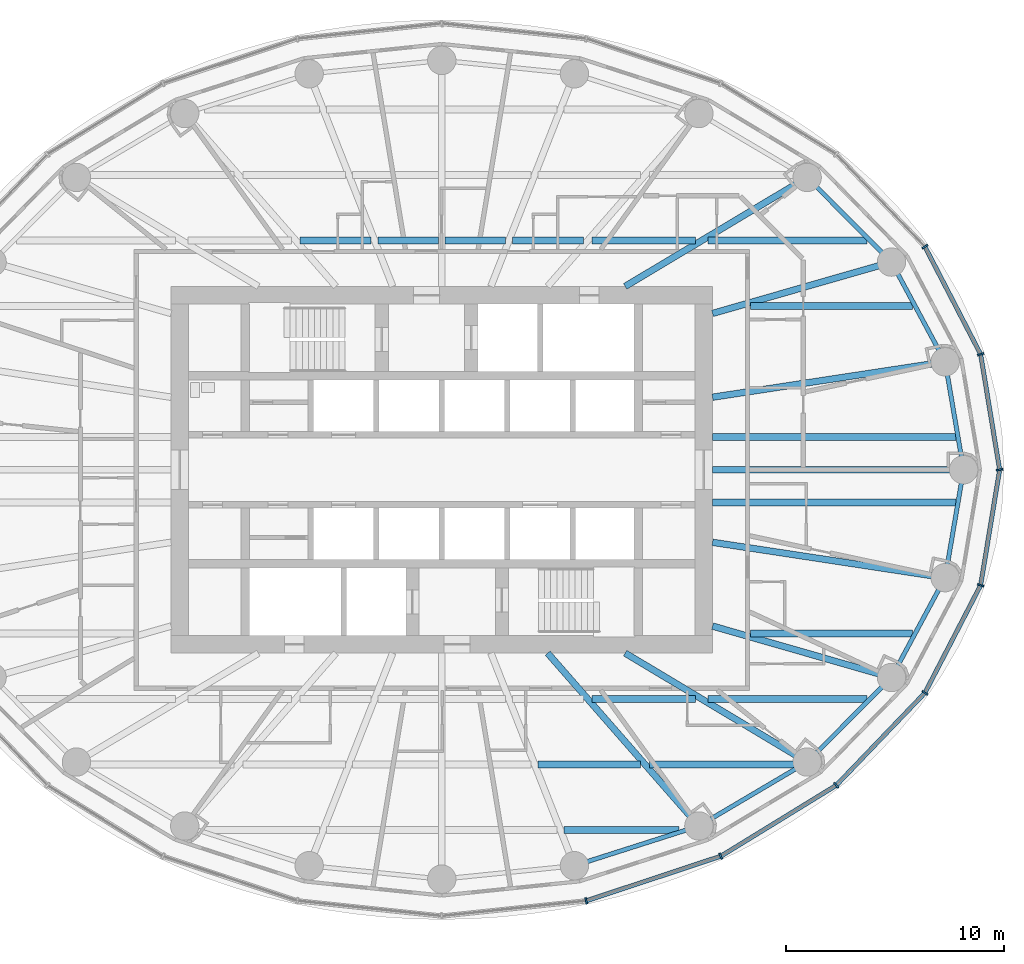
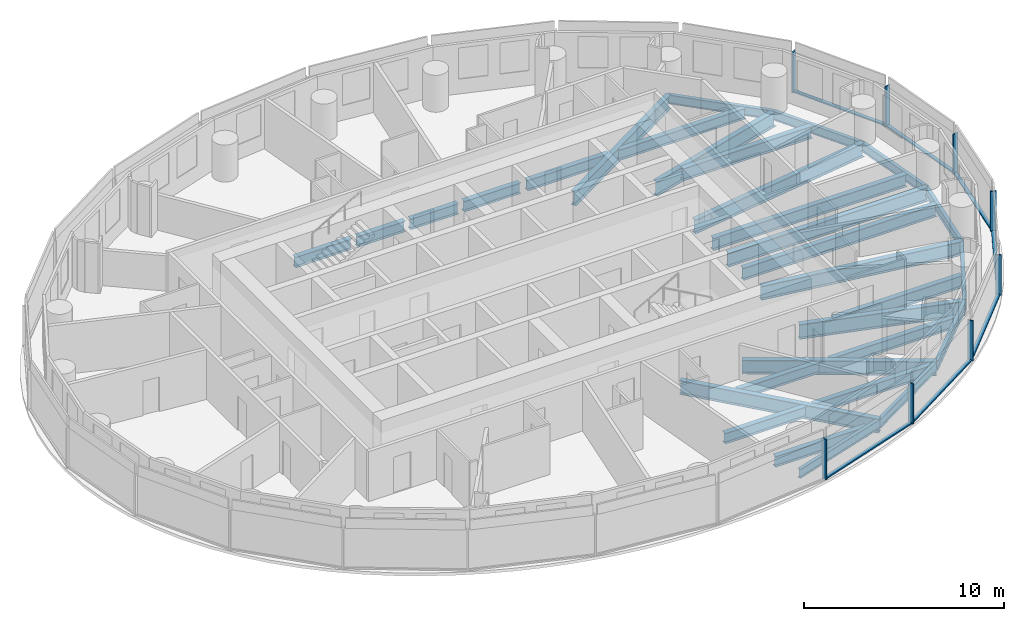
# One storey, part 3 of 14: 31 beams, 15 members, 2 elements without a shape of their own.
"""IFC4 building model written with IfcOpenShell, lengths in metres."""

from ifc_helpers import new_model, si_unit, direction, frame, origin, origin_2d, place, context, subcontext, project, spatial, rectangle, i_section, extrude, material, material_profile, profile_set, type_object, element, aggregate, save


model = new_model("IFC4")

# Units and contexts
model_context = context("Model", 3, precision=1e-05, world=origin(), true_north=direction((0.0, 1.0)))
body_context = subcontext(model_context, "Body", "Model", "MODEL_VIEW")
ifc_project = project(units=[si_unit("LENGTHUNIT", "METRE"), si_unit("AREAUNIT", "SQUARE_METRE"), si_unit("VOLUMEUNIT", "CUBIC_METRE"), si_unit("PLANEANGLEUNIT", "RADIAN"), si_unit("MASSUNIT", "GRAM", prefix="KILO")], contexts=[model_context])

# Site, building, storey
site_placement = place(None, origin())
site = spatial("IfcSite", under=ifc_project, at=site_placement, CompositionType="ELEMENT")
building_placement = place(site_placement, origin())
building = spatial("IfcBuilding", under=site, at=building_placement, Name="Hankou Lantern Tower", CompositionType="ELEMENT")
storey_placement = place(building_placement, frame((0.0, 0.0, 135.300048828125)))
storey = spatial("IfcBuildingStorey", under=building, at=storey_placement, Name="L35", CompositionType="ELEMENT", Elevation=135.300048828125)

# Beams
ifc_material_1 = material(Name="Steel Q355B", Category="steel")
ifc_material_profile_1 = material_profile(ifc_material_1, i_section(OverallWidth=0.199951171875, OverallDepth=0.550048828125, WebThickness=0.010009765625, FlangeThickness=0.01611328125, FilletRadius=0.012939453125, at=origin_2d()), Name="HN550x200x10x16")
ifc_profile_set_1 = profile_set([ifc_material_profile_1], Name="Steel Q355B")
beam_type_1 = type_object("IfcBeamType", Name="EB6 RING BEAM HN550x200x10x16", PredefinedType="SPANDREL", material=ifc_profile_set_1)
beam_1_placement = place(storey_placement, frame((23.89990234375, 0.0, -0.455078125), z_axis=(-0.168527258545, 0.985696993567, 0.0), x_axis=(-0.985696993567, -0.168527258545, 0.0)))
element("IfcBeam", 1, at=beam_1_placement, inside=storey, type_object=beam_type_1, Name="Ring beam R01-R02 L35", PredefinedType="SPANDREL", context=body_context, shape_type="SweptSolid", body=[
    extrude(i_section(OverallWidth=0.199951171875, OverallDepth=0.550048828125, WebThickness=0.010009765625, FlangeThickness=0.01611328125, FilletRadius=0.012939453125, at=origin_2d()), origin(), (0.0, 0.0, 1.0), 5.013916015625),
])
beam_2_placement = place(storey_placement, frame((23.054931640625, 4.942138671875, -0.455078125), z_axis=(-0.473824901673, 0.880619079145, 0.0), x_axis=(-0.880619079145, -0.473824901673, 0.0)))
element("IfcBeam", 2, at=beam_2_placement, inside=storey, type_object=beam_type_1, Name="Ring beam R02-R03 L35", PredefinedType="SPANDREL", context=body_context, shape_type="SweptSolid", body=[
    extrude(i_section(OverallWidth=0.199951171875, OverallDepth=0.550048828125, WebThickness=0.010009765625, FlangeThickness=0.01611328125, FilletRadius=0.012939453125, at=origin_2d()), origin(), (0.0, 0.0, 1.0), 5.190185546875),
])
beam_3_placement = place(storey_placement, frame((20.595703125, 9.5126953125, -0.455078125), z_axis=(-0.705945468625, 0.708266189599, 0.0), x_axis=(-0.708266189599, -0.705945468625, 0.0)))
element("IfcBeam", 3, at=beam_3_placement, inside=storey, type_object=beam_type_1, Name="Ring beam R03-R04 L35", PredefinedType="SPANDREL", context=body_context, shape_type="SweptSolid", body=[
    extrude(i_section(OverallWidth=0.199951171875, OverallDepth=0.550048828125, WebThickness=0.010009765625, FlangeThickness=0.01611328125, FilletRadius=0.012939453125, at=origin_2d()), origin(), (0.0, 0.0, 1.0), 5.470458984375),
])
beam_4_placement = place(storey_placement, frame((6.073974609375, -18.134521484375, -0.455078125), z_axis=(0.952731090451, 0.303814860215, 0.0), x_axis=(-0.303814860215, 0.952731090451, 0.0)))
element("IfcBeam", 4, at=beam_4_placement, inside=storey, type_object=beam_type_1, Name="Ring beam R20-R21 L35", PredefinedType="SPANDREL", context=body_context, shape_type="SweptSolid", body=[
    extrude(i_section(OverallWidth=0.199951171875, OverallDepth=0.550048828125, WebThickness=0.010009765625, FlangeThickness=0.01611328125, FilletRadius=0.012939453125, at=origin_2d()), origin(), (0.0, 0.0, 1.0), 5.984375),
])
beam_5_placement = place(storey_placement, frame((11.775390625, -16.31640625, -0.455078125), z_axis=(0.860988974188, 0.508623619513, 0.0), x_axis=(-0.508623619513, 0.860988974188, 0.0)))
element("IfcBeam", 5, at=beam_5_placement, inside=storey, type_object=beam_type_1, Name="Ring beam R21-R22 L35", PredefinedType="SPANDREL", context=body_context, shape_type="SweptSolid", body=[
    extrude(i_section(OverallWidth=0.199951171875, OverallDepth=0.550048828125, WebThickness=0.010009765625, FlangeThickness=0.01611328125, FilletRadius=0.012939453125, at=origin_2d()), origin(), (0.0, 0.0, 1.0), 5.759033203125),
])
beam_6_placement = place(storey_placement, frame((16.73388671875, -13.38720703125, -0.455078125), z_axis=(0.705945468625, 0.708266189599, 0.0), x_axis=(-0.708266189599, 0.705945468625, 0.0)))
element("IfcBeam", 6, at=beam_6_placement, inside=storey, type_object=beam_type_1, Name="Ring beam R22-R23 L35", PredefinedType="SPANDREL", context=body_context, shape_type="SweptSolid", body=[
    extrude(i_section(OverallWidth=0.199951171875, OverallDepth=0.550048828125, WebThickness=0.010009765625, FlangeThickness=0.01611328125, FilletRadius=0.012939453125, at=origin_2d()), origin(), (0.0, 0.0, 1.0), 5.470458984375),
])
beam_7_placement = place(storey_placement, frame((20.595703125, -9.5126953125, -0.455078125), z_axis=(0.473824901673, 0.880619079145, 0.0), x_axis=(-0.880619079145, 0.473824901673, 0.0)))
element("IfcBeam", 7, at=beam_7_placement, inside=storey, type_object=beam_type_1, Name="Ring beam R23-R24 L35", PredefinedType="SPANDREL", context=body_context, shape_type="SweptSolid", body=[
    extrude(i_section(OverallWidth=0.199951171875, OverallDepth=0.550048828125, WebThickness=0.010009765625, FlangeThickness=0.01611328125, FilletRadius=0.012939453125, at=origin_2d()), origin(), (0.0, 0.0, 1.0), 5.190185546875),
])
beam_8_placement = place(storey_placement, frame((23.054931640625, -4.942138671875, -0.455078125), z_axis=(0.168527258545, 0.985696993567, 0.0), x_axis=(-0.985696993567, 0.168527258545, 0.0)))
element("IfcBeam", 8, at=beam_8_placement, inside=storey, type_object=beam_type_1, Name="Ring beam R24-R01 L35", PredefinedType="SPANDREL", context=body_context, shape_type="SweptSolid", body=[
    extrude(i_section(OverallWidth=0.199951171875, OverallDepth=0.550048828125, WebThickness=0.010009765625, FlangeThickness=0.01611328125, FilletRadius=0.012939453125, at=origin_2d()), origin(), (0.0, 0.0, 1.0), 5.013916015625),
])

# Curtain wall, members
ifc_material_2 = material(Name="Glass, dark grey tinted laminated", Category="glass")
curtain_wall_type = type_object("IfcCurtainWallType", Name="CWB OUTER SKIN MID-RISE", PredefinedType="USERDEFINED", material=ifc_material_2)
curtain_wall_1_placement = place(storey_placement, origin())
curtain_wall_1 = element("IfcCurtainWall", 9, at=curtain_wall_1_placement, inside=storey, type_object=curtain_wall_type, Name="CWB L35 OS1", ObjectType="OUTER SKIN MID-RISE", PredefinedType="USERDEFINED")
ifc_material_3 = material(Name="Aluminium, black anodised", Category="aluminium")
ifc_material_profile_2 = material_profile(ifc_material_3, rectangle(XDim=0.080078125, YDim=0.300048828125, at=origin_2d()), Name="MU1 80X300")
ifc_profile_set_2 = profile_set([ifc_material_profile_2], Name="Aluminium, black anodised")
member_type_1 = type_object("IfcMemberType", Name="MU1 OUTER SKIN MULLION 80X300", PredefinedType="MULLION", material=ifc_profile_set_2)
member_1_placement = place(storey_placement, frame((25.550048828125, 0.0, 0.0), z_axis=(0.0, 0.0, 1.0), x_axis=(-0.162381515188, 0.986728049427, 0.0)))
member_1 = element("IfcMember", 10, at=member_1_placement, type_object=member_type_1, Name="CWB mullion 1", PredefinedType="MULLION", context=body_context, shape_type="SweptSolid", body=[
    extrude(rectangle(XDim=0.080078125, YDim=0.300048828125, at=origin_2d()), origin(), (0.0, 0.0, 1.0), 2.449951171875),
])
member_2_placement = place(storey_placement, frame((24.679443359375, 5.290283203125, 0.0), z_axis=(0.0, 0.0, 1.0), x_axis=(-0.317595577365, 0.94822626479, 0.0)))
member_2 = element("IfcMember", 11, at=member_2_placement, type_object=member_type_1, Name="CWB mullion 2", PredefinedType="MULLION", context=body_context, shape_type="SweptSolid", body=[
    extrude(rectangle(XDim=0.080078125, YDim=0.300048828125, at=origin_2d()), origin(), (0.0, 0.0, 1.0), 2.449951171875),
])
member_3_placement = place(storey_placement, frame((22.126953125, 10.219970703125, 0.0), z_axis=(0.0, 0.0, 1.0), x_axis=(-0.585205735974, 0.810884854084, 0.0)))
member_3 = element("IfcMember", 12, at=member_3_placement, type_object=member_type_1, Name="CWB mullion 3", PredefinedType="MULLION", context=body_context, shape_type="SweptSolid", body=[
    extrude(rectangle(XDim=0.080078125, YDim=0.300048828125, at=origin_2d()), origin(), (0.0, 0.0, 1.0), 2.449951171875),
])

curtain_wall_2_placement = place(storey_placement, origin())
curtain_wall_2 = element("IfcCurtainWall", 13, at=curtain_wall_2_placement, inside=storey, type_object=curtain_wall_type, Name="CWB L35 OS4", ObjectType="OUTER SKIN MID-RISE", PredefinedType="USERDEFINED")
member_4_placement = place(storey_placement, frame((6.61279296875, -19.743408203125, 0.0), z_axis=(0.0, 0.0, 1.0), x_axis=(0.977787659625, 0.209597931016, 0.0)))
member_4 = element("IfcMember", 14, at=member_4_placement, type_object=member_type_1, Name="CWB mullion 2", PredefinedType="MULLION", context=body_context, shape_type="SweptSolid", body=[
    extrude(rectangle(XDim=0.080078125, YDim=0.300048828125, at=origin_2d()), origin(), (0.0, 0.0, 1.0), 2.449951171875),
])
member_5_placement = place(storey_placement, frame((12.77490234375, -17.70166015625, 0.0), z_axis=(0.0, 0.0, 1.0), x_axis=(0.907841299004, 0.419313934686, 0.0)))
member_5 = element("IfcMember", 15, at=member_5_placement, type_object=member_type_1, Name="CWB mullion 3", PredefinedType="MULLION", context=body_context, shape_type="SweptSolid", body=[
    extrude(rectangle(XDim=0.080078125, YDim=0.300048828125, at=origin_2d()), origin(), (0.0, 0.0, 1.0), 2.449951171875),
])
member_6_placement = place(storey_placement, frame((18.066650390625, -14.453369140625, 0.0), z_axis=(0.0, 0.0, 1.0), x_axis=(0.780868809444, 0.624695047553, 0.0)))
member_6 = element("IfcMember", 16, at=member_6_placement, type_object=member_type_1, Name="CWB mullion 4", PredefinedType="MULLION", context=body_context, shape_type="SweptSolid", body=[
    extrude(rectangle(XDim=0.080078125, YDim=0.300048828125, at=origin_2d()), origin(), (0.0, 0.0, 1.0), 2.449951171875),
])
member_7_placement = place(storey_placement, frame((22.126953125, -10.219970703125, 0.0), z_axis=(0.0, 0.0, 1.0), x_axis=(0.585205735974, 0.810884854084, 0.0)))
member_7 = element("IfcMember", 17, at=member_7_placement, type_object=member_type_1, Name="CWB mullion 5", PredefinedType="MULLION", context=body_context, shape_type="SweptSolid", body=[
    extrude(rectangle(XDim=0.080078125, YDim=0.300048828125, at=origin_2d()), origin(), (0.0, 0.0, 1.0), 2.449951171875),
])
member_8_placement = place(storey_placement, frame((24.679443359375, -5.290283203125, 0.0), z_axis=(0.0, 0.0, 1.0), x_axis=(0.317595577365, 0.94822626479, 0.0)))
member_8 = element("IfcMember", 18, at=member_8_placement, type_object=member_type_1, Name="CWB mullion 6", PredefinedType="MULLION", context=body_context, shape_type="SweptSolid", body=[
    extrude(rectangle(XDim=0.080078125, YDim=0.300048828125, at=origin_2d()), origin(), (0.0, 0.0, 1.0), 2.449951171875),
])

# Beams
ifc_material_4 = material(Name="Steel Q355B", Category="steel")
ifc_material_profile_3 = material_profile(ifc_material_4, i_section(OverallWidth=0.300048828125, OverallDepth=0.85009765625, WebThickness=0.01611328125, FlangeThickness=0.027099609375, FilletRadius=0.01806640625, at=origin_2d()), Name="HN850x300x16x27")
ifc_profile_set_3 = profile_set([ifc_material_profile_3], Name="Steel Q355B")
beam_type_2 = type_object("IfcBeamType", Name="RB12 RADIAL BEAM HN850x300x16x27", PredefinedType="BEAM", material=ifc_profile_set_3)
beam_9_placement = place(storey_placement, frame((12.39990234375, 0.0, -0.60498046875), z_axis=(1.0, 0.0, 0.0), x_axis=(0.0, 1.0, 0.0)))
element("IfcBeam", 19, at=beam_9_placement, inside=storey, type_object=beam_type_2, Name="Radial beam R01 L35", PredefinedType="BEAM", context=body_context, shape_type="SweptSolid", body=[
    extrude(i_section(OverallWidth=0.300048828125, OverallDepth=0.85009765625, WebThickness=0.01611328125, FlangeThickness=0.027099609375, FilletRadius=0.01806640625, at=origin_2d()), origin(), (0.0, 0.0, 1.0), 11.5),
])
beam_10_placement = place(storey_placement, frame((12.39990234375, 3.322509765625, -0.60498046875), z_axis=(0.988643506875, 0.150279793429, 0.0), x_axis=(-0.150279793429, 0.988643506875, 0.0)))
element("IfcBeam", 20, at=beam_10_placement, inside=storey, type_object=beam_type_2, Name="Radial beam R02 L35", PredefinedType="BEAM", context=body_context, shape_type="SweptSolid", body=[
    extrude(i_section(OverallWidth=0.300048828125, OverallDepth=0.85009765625, WebThickness=0.01611328125, FlangeThickness=0.027099609375, FilletRadius=0.01806640625, at=origin_2d()), origin(), (0.0, 0.0, 1.0), 10.77734375),
])
beam_11_placement = place(storey_placement, frame((8.39990234375, 8.39990234375, -0.60498046875), z_axis=(0.858086776551, 0.513504706802, 0.0), x_axis=(-0.513504706802, 0.858086776551, 0.0)))
element("IfcBeam", 21, at=beam_11_placement, inside=storey, type_object=beam_type_2, Name="Radial beam R04 L35", PredefinedType="BEAM", context=body_context, shape_type="SweptSolid", body=[
    extrude(i_section(OverallWidth=0.300048828125, OverallDepth=0.85009765625, WebThickness=0.01611328125, FlangeThickness=0.027099609375, FilletRadius=0.01806640625, at=origin_2d()), origin(), (0.0, 0.0, 1.0), 9.71240234375),
])
beam_12_placement = place(storey_placement, frame((4.849853515625, -8.39990234375, -0.60498046875), z_axis=(0.658429014446, -0.752642832249, 0.0), x_axis=(0.752642832249, 0.658429014446, 0.0)))
element("IfcBeam", 22, at=beam_12_placement, inside=storey, type_object=beam_type_2, Name="Radial beam R21 L35", PredefinedType="BEAM", context=body_context, shape_type="SweptSolid", body=[
    extrude(i_section(OverallWidth=0.300048828125, OverallDepth=0.85009765625, WebThickness=0.01611328125, FlangeThickness=0.027099609375, FilletRadius=0.01806640625, at=origin_2d()), origin(), (0.0, 0.0, 1.0), 10.518310546875),
])
beam_13_placement = place(storey_placement, frame((8.39990234375, -8.39990234375, -0.60498046875), z_axis=(0.858086776551, -0.513504706802, 0.0), x_axis=(0.513504706802, 0.858086776551, 0.0)))
element("IfcBeam", 23, at=beam_13_placement, inside=storey, type_object=beam_type_2, Name="Radial beam R22 L35", PredefinedType="BEAM", context=body_context, shape_type="SweptSolid", body=[
    extrude(i_section(OverallWidth=0.300048828125, OverallDepth=0.85009765625, WebThickness=0.01611328125, FlangeThickness=0.027099609375, FilletRadius=0.01806640625, at=origin_2d()), origin(), (0.0, 0.0, 1.0), 9.71240234375),
])
beam_14_placement = place(storey_placement, frame((12.39990234375, -3.322509765625, -0.60498046875), z_axis=(0.988643506875, -0.150279793429, 0.0), x_axis=(0.150279793429, 0.988643506875, 0.0)))
element("IfcBeam", 24, at=beam_14_placement, inside=storey, type_object=beam_type_2, Name="Radial beam R24 L35", PredefinedType="BEAM", context=body_context, shape_type="SweptSolid", body=[
    extrude(i_section(OverallWidth=0.300048828125, OverallDepth=0.85009765625, WebThickness=0.01611328125, FlangeThickness=0.027099609375, FilletRadius=0.01806640625, at=origin_2d()), origin(), (0.0, 0.0, 1.0), 10.77734375),
])
ifc_material_5 = material(Name="Steel Q355B", Category="steel")
ifc_material_profile_4 = material_profile(ifc_material_5, i_section(OverallWidth=0.300048828125, OverallDepth=0.89990234375, WebThickness=0.01611328125, FlangeThickness=0.028076171875, FilletRadius=0.01806640625, at=origin_2d()), Name="HN900x300x16x28")
ifc_profile_set_4 = profile_set([ifc_material_profile_4], Name="Steel Q355B")
beam_type_3 = type_object("IfcBeamType", Name="RB13 RADIAL BEAM HN900x300x16x28", PredefinedType="BEAM", material=ifc_profile_set_4)
for number, where, z_axis, x_axis, name in (
    (25, (12.39990234375, 7.1591796875, -0.630126953125), (0.961155741911, 0.276006593745, 0.0), (-0.276006593745, 0.961155741911, 0.0), "Radial beam R03 L35"),
    (26, (12.39990234375, -7.1591796875, -0.630126953125), (0.961155741911, -0.276006593745, 0.0), (0.276006593745, 0.961155741911, 0.0), "Radial beam R23 L35"),
):
    element("IfcBeam", number, at=place(storey_placement, frame(where, z_axis=z_axis, x_axis=x_axis)), inside=storey, type_object=beam_type_3, Name=name, PredefinedType="BEAM", context=body_context, shape_type="SweptSolid", body=[
        extrude(i_section(OverallWidth=0.300048828125, OverallDepth=0.89990234375, WebThickness=0.01611328125, FlangeThickness=0.028076171875, FilletRadius=0.01806640625, at=origin_2d()), origin(), (0.0, 0.0, 1.0), 8.527099609375),
    ])
ifc_material_6 = material(Name="Steel Q355B", Category="steel")
ifc_material_profile_5 = material_profile(ifc_material_6, i_section(OverallWidth=0.300048828125, OverallDepth=0.75, WebThickness=0.012939453125, FlangeThickness=0.02392578125, FilletRadius=0.01806640625, at=origin_2d()), Name="HN750x300x13x24")
ifc_profile_set_5 = profile_set([ifc_material_profile_5], Name="Steel Q355B")
beam_type_4 = type_object("IfcBeamType", Name="SB10 SECONDARY BEAM HN750x300x13x24", PredefinedType="JOIST", material=ifc_profile_set_5)
beam_15_placement = place(storey_placement, frame((14.13037109375, -7.5, -0.554931640625), z_axis=(1.0, 0.0, 0.0), x_axis=(0.0, 1.0, 0.0)))
element("IfcBeam", 27, at=beam_15_placement, inside=storey, type_object=beam_type_4, Name="Floor joist J020 L35", PredefinedType="JOIST", context=body_context, shape_type="SweptSolid", body=[
    extrude(i_section(OverallWidth=0.300048828125, OverallDepth=0.75, WebThickness=0.012939453125, FlangeThickness=0.02392578125, FilletRadius=0.01806640625, at=origin_2d()), origin(), (0.0, 0.0, 1.0), 7.4345703125),
])
for number, where, z_axis, x_axis, name in (
    (28, (12.39990234375, -1.5, -0.554931640625), (1.0, 0.0, 0.0), (0.0, 1.0, 0.0), "Floor joist J026 L35"),
    (29, (12.39990234375, 1.5, -0.554931640625), (1.0, 0.0, 0.0), (0.0, 1.0, 0.0), "Floor joist J028 L35"),
):
    element("IfcBeam", number, at=place(storey_placement, frame(where, z_axis=z_axis, x_axis=x_axis)), inside=storey, type_object=beam_type_4, Name=name, PredefinedType="JOIST", context=body_context, shape_type="SweptSolid", body=[
        extrude(i_section(OverallWidth=0.300048828125, OverallDepth=0.75, WebThickness=0.012939453125, FlangeThickness=0.02392578125, FilletRadius=0.01806640625, at=origin_2d()), origin(), (0.0, 0.0, 1.0), 11.14208984375),
    ])
beam_16_placement = place(storey_placement, frame((14.13037109375, 7.5, -0.554931640625), z_axis=(1.0, 0.0, 0.0), x_axis=(0.0, 1.0, 0.0)))
element("IfcBeam", 30, at=beam_16_placement, inside=storey, type_object=beam_type_4, Name="Floor joist J034 L35", PredefinedType="JOIST", context=body_context, shape_type="SweptSolid", body=[
    extrude(i_section(OverallWidth=0.300048828125, OverallDepth=0.75, WebThickness=0.012939453125, FlangeThickness=0.02392578125, FilletRadius=0.01806640625, at=origin_2d()), origin(), (0.0, 0.0, 1.0), 7.4345703125),
])
ifc_material_7 = material(Name="Steel Q355B", Category="steel")
ifc_material_profile_6 = material_profile(ifc_material_7, i_section(OverallWidth=0.300048828125, OverallDepth=0.64990234375, WebThickness=0.010986328125, FlangeThickness=0.01708984375, FilletRadius=0.01806640625, at=origin_2d()), Name="HN650x300x11x17")
ifc_profile_set_6 = profile_set([ifc_material_profile_6], Name="Steel Q355B")
beam_type_5 = type_object("IfcBeamType", Name="SB8 SECONDARY BEAM HN650x300x11x17", PredefinedType="JOIST", material=ifc_profile_set_6)
beam_17_placement = place(storey_placement, frame((5.59326171875, -16.5, -0.505126953125), z_axis=(1.0, 0.0, 0.0), x_axis=(0.0, 1.0, 0.0)))
element("IfcBeam", 31, at=beam_17_placement, inside=storey, type_object=beam_type_5, Name="Floor joist J004 L35", PredefinedType="JOIST", context=body_context, shape_type="SweptSolid", body=[
    extrude(i_section(OverallWidth=0.300048828125, OverallDepth=0.64990234375, WebThickness=0.010986328125, FlangeThickness=0.01708984375, FilletRadius=0.01806640625, at=origin_2d()), origin(), (0.0, 0.0, 1.0), 5.27685546875),
])
beam_18_placement = place(storey_placement, frame((4.4150390625, -13.5, -0.505126953125), z_axis=(1.0, 0.0, 0.0), x_axis=(0.0, 1.0, 0.0)))
element("IfcBeam", 32, at=beam_18_placement, inside=storey, type_object=beam_type_5, Name="Floor joist J009 L35", PredefinedType="JOIST", context=body_context, shape_type="SweptSolid", body=[
    extrude(i_section(OverallWidth=0.300048828125, OverallDepth=0.64990234375, WebThickness=0.010986328125, FlangeThickness=0.01708984375, FilletRadius=0.01806640625, at=origin_2d()), origin(), (0.0, 0.0, 1.0), 4.697021484375),
])
beam_19_placement = place(storey_placement, frame((9.5107421875, -13.5, -0.505126953125), z_axis=(1.0, 0.0, 0.0), x_axis=(0.0, 1.0, 0.0)))
element("IfcBeam", 33, at=beam_19_placement, inside=storey, type_object=beam_type_5, Name="Floor joist J010 L35", PredefinedType="JOIST", context=body_context, shape_type="SweptSolid", body=[
    extrude(i_section(OverallWidth=0.300048828125, OverallDepth=0.64990234375, WebThickness=0.010986328125, FlangeThickness=0.01708984375, FilletRadius=0.01806640625, at=origin_2d()), origin(), (0.0, 0.0, 1.0), 6.83544921875),
])
beam_20_placement = place(storey_placement, frame((6.88623046875, -10.5, -0.505126953125), z_axis=(1.0, 0.0, 0.0), x_axis=(0.0, 1.0, 0.0)))
element("IfcBeam", 34, at=beam_20_placement, inside=storey, type_object=beam_type_5, Name="Floor joist J017 L35", PredefinedType="JOIST", context=body_context, shape_type="SweptSolid", body=[
    extrude(i_section(OverallWidth=0.300048828125, OverallDepth=0.64990234375, WebThickness=0.010986328125, FlangeThickness=0.01708984375, FilletRadius=0.01806640625, at=origin_2d()), origin(), (0.0, 0.0, 1.0), 4.73095703125),
])
beam_21_placement = place(storey_placement, frame((12.201416015625, -10.5, -0.505126953125), z_axis=(1.0, 0.0, 0.0), x_axis=(0.0, 1.0, 0.0)))
element("IfcBeam", 35, at=beam_21_placement, inside=storey, type_object=beam_type_5, Name="Floor joist J018 L35", PredefinedType="JOIST", context=body_context, shape_type="SweptSolid", body=[
    extrude(i_section(OverallWidth=0.300048828125, OverallDepth=0.64990234375, WebThickness=0.010986328125, FlangeThickness=0.01708984375, FilletRadius=0.01806640625, at=origin_2d()), origin(), (0.0, 0.0, 1.0), 7.26904296875),
])
beam_22_placement = place(storey_placement, frame((-6.487548828125, 10.5, -0.505126953125), z_axis=(1.0, 0.0, 0.0), x_axis=(0.0, 1.0, 0.0)))
element("IfcBeam", 36, at=beam_22_placement, inside=storey, type_object=beam_type_5, Name="Floor joist J037 L35", PredefinedType="JOIST", context=body_context, shape_type="SweptSolid", body=[
    extrude(i_section(OverallWidth=0.300048828125, OverallDepth=0.64990234375, WebThickness=0.010986328125, FlangeThickness=0.01708984375, FilletRadius=0.01806640625, at=origin_2d()), origin(), (0.0, 0.0, 1.0), 3.2509765625),
])
for number, where, z_axis, x_axis, name in (
    (37, (-2.914306640625, 10.5, -0.505126953125), (1.0, 0.0, 0.0), (0.0, 1.0, 0.0), "Floor joist J038 L35"),
    (38, (0.14990234375, 10.5, -0.505126953125), (1.0, 0.0, 0.0), (0.0, 1.0, 0.0), "Floor joist J039 L35"),
):
    element("IfcBeam", number, at=place(storey_placement, frame(where, z_axis=z_axis, x_axis=x_axis)), inside=storey, type_object=beam_type_5, Name=name, PredefinedType="JOIST", context=body_context, shape_type="SweptSolid", body=[
        extrude(i_section(OverallWidth=0.300048828125, OverallDepth=0.64990234375, WebThickness=0.010986328125, FlangeThickness=0.01708984375, FilletRadius=0.01806640625, at=origin_2d()), origin(), (0.0, 0.0, 1.0), 2.764404296875),
    ])
beam_23_placement = place(storey_placement, frame((3.236572265625, 10.5, -0.505126953125), z_axis=(1.0, 0.0, 0.0), x_axis=(0.0, 1.0, 0.0)))
element("IfcBeam", 39, at=beam_23_placement, inside=storey, type_object=beam_type_5, Name="Floor joist J040 L35", PredefinedType="JOIST", context=body_context, shape_type="SweptSolid", body=[
    extrude(i_section(OverallWidth=0.300048828125, OverallDepth=0.64990234375, WebThickness=0.010986328125, FlangeThickness=0.01708984375, FilletRadius=0.01806640625, at=origin_2d()), origin(), (0.0, 0.0, 1.0), 3.2509765625),
])
beam_24_placement = place(storey_placement, frame((6.88623046875, 10.5, -0.505126953125), z_axis=(1.0, 0.0, 0.0), x_axis=(0.0, 1.0, 0.0)))
element("IfcBeam", 40, at=beam_24_placement, inside=storey, type_object=beam_type_5, Name="Floor joist J041 L35", PredefinedType="JOIST", context=body_context, shape_type="SweptSolid", body=[
    extrude(i_section(OverallWidth=0.300048828125, OverallDepth=0.64990234375, WebThickness=0.010986328125, FlangeThickness=0.01708984375, FilletRadius=0.01806640625, at=origin_2d()), origin(), (0.0, 0.0, 1.0), 4.73095703125),
])
beam_25_placement = place(storey_placement, frame((12.201416015625, 10.5, -0.505126953125), z_axis=(1.0, 0.0, 0.0), x_axis=(0.0, 1.0, 0.0)))
element("IfcBeam", 41, at=beam_25_placement, inside=storey, type_object=beam_type_5, Name="Floor joist J042 L35", PredefinedType="JOIST", context=body_context, shape_type="SweptSolid", body=[
    extrude(i_section(OverallWidth=0.300048828125, OverallDepth=0.64990234375, WebThickness=0.010986328125, FlangeThickness=0.01708984375, FilletRadius=0.01806640625, at=origin_2d()), origin(), (0.0, 0.0, 1.0), 7.26904296875),
])

# Member
ifc_material_8 = material(Name="Aluminium, black anodised", Category="aluminium")
ifc_material_profile_7 = material_profile(ifc_material_8, rectangle(XDim=0.199951171875, YDim=0.080078125, at=origin_2d()), Name="TR1 200X80")
ifc_profile_set_7 = profile_set([ifc_material_profile_7], Name="Aluminium, black anodised")
member_type_2 = type_object("IfcMemberType", Name="TR1 OUTER SKIN TRANSOM 200X80", PredefinedType="USERDEFINED", material=ifc_profile_set_7)
member_9_placement = place(storey_placement, frame((25.54345703125, 0.03955078125, 0.0400390625), z_axis=(-0.162397124076, 0.986725480614, 0.0), x_axis=(-0.986725480614, -0.162397124076, 0.0)))
member_9 = element("IfcMember", 42, at=member_9_placement, type_object=member_type_2, Name="CWB transom 1", ObjectType="TRANSOM", PredefinedType="USERDEFINED", context=body_context, shape_type="SweptSolid", body=[
    extrude(rectangle(XDim=0.199951171875, YDim=0.080078125, at=origin_2d()), origin(), (0.0, 0.0, 1.0), 5.28125),
])

member_10_placement = place(storey_placement, frame((24.6611328125, 5.32568359375, 0.0400390625), z_axis=(-0.459805240543, 0.888019786249, 0.0), x_axis=(-0.888019786249, -0.459805240543, 0.0)))
member_10 = element("IfcMember", 43, at=member_10_placement, type_object=member_type_2, Name="CWB transom 2", ObjectType="TRANSOM", PredefinedType="USERDEFINED", context=body_context, shape_type="SweptSolid", body=[
    extrude(rectangle(XDim=0.199951171875, YDim=0.080078125, at=origin_2d()), origin(), (0.0, 0.0, 1.0), 5.4716796875),
])

aggregate(curtain_wall_1, [member_1, member_2, member_3, member_9, member_10])

member_11_placement = place(storey_placement, frame((6.65087890625, -19.73095703125, 0.0400390625), z_axis=(0.949237765745, 0.314559476225, 0.0), x_axis=(-0.314559476225, 0.949237765745, 0.0)))
member_11 = element("IfcMember", 44, at=member_11_placement, type_object=member_type_2, Name="CWB transom 2", ObjectType="TRANSOM", PredefinedType="USERDEFINED", context=body_context, shape_type="SweptSolid", body=[
    extrude(rectangle(XDim=0.199951171875, YDim=0.080078125, at=origin_2d()), origin(), (0.0, 0.0, 1.0), 6.41162109375),
])

member_12_placement = place(storey_placement, frame((12.80908203125, -17.6806640625, 0.0400390625), z_axis=(0.852229492169, 0.523168130411, 0.0), x_axis=(-0.523168130411, 0.852229492169, 0.0)))
member_12 = element("IfcMember", 45, at=member_12_placement, type_object=member_type_2, Name="CWB transom 3", ObjectType="TRANSOM", PredefinedType="USERDEFINED", context=body_context, shape_type="SweptSolid", body=[
    extrude(rectangle(XDim=0.199951171875, YDim=0.080078125, at=origin_2d()), origin(), (0.0, 0.0, 1.0), 6.129150390625),
])

member_13_placement = place(storey_placement, frame((18.09423828125, -14.42431640625, 0.0400390625), z_axis=(0.692226977748, 0.721679853729, 0.0), x_axis=(-0.721679853729, 0.692226977748, 0.0)))
member_13 = element("IfcMember", 46, at=member_13_placement, type_object=member_type_2, Name="CWB transom 4", ObjectType="TRANSOM", PredefinedType="USERDEFINED", context=body_context, shape_type="SweptSolid", body=[
    extrude(rectangle(XDim=0.199951171875, YDim=0.080078125, at=origin_2d()), origin(), (0.0, 0.0, 1.0), 5.785888671875),
])

member_14_placement = place(storey_placement, frame((22.145263671875, -10.1845703125, 0.0400390625), z_axis=(0.459805240543, 0.888019786249, 0.0), x_axis=(-0.888019786249, 0.459805240543, 0.0)))
member_14 = element("IfcMember", 47, at=member_14_placement, type_object=member_type_2, Name="CWB transom 5", ObjectType="TRANSOM", PredefinedType="USERDEFINED", context=body_context, shape_type="SweptSolid", body=[
    extrude(rectangle(XDim=0.199951171875, YDim=0.080078125, at=origin_2d()), origin(), (0.0, 0.0, 1.0), 5.4716796875),
])

member_15_placement = place(storey_placement, frame((24.685791015625, -5.250732421875, 0.0400390625), z_axis=(0.162397124076, 0.986725480614, 0.0), x_axis=(-0.986725480614, 0.162397124076, 0.0)))
member_15 = element("IfcMember", 48, at=member_15_placement, type_object=member_type_2, Name="CWB transom 6", ObjectType="TRANSOM", PredefinedType="USERDEFINED", context=body_context, shape_type="SweptSolid", body=[
    extrude(rectangle(XDim=0.199951171875, YDim=0.080078125, at=origin_2d()), origin(), (0.0, 0.0, 1.0), 5.28125),
])

aggregate(curtain_wall_2, [member_4, member_5, member_6, member_7, member_8, member_11, member_12, member_13, member_14, member_15])

save(model, "model.ifc")
